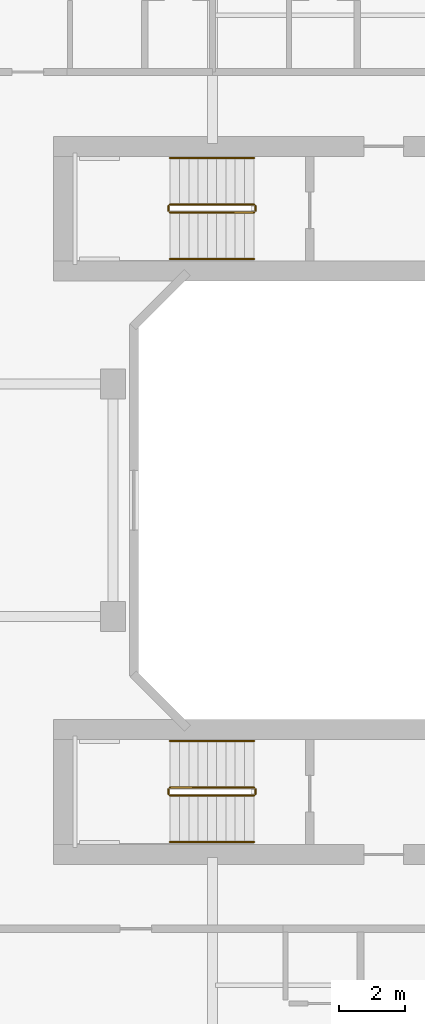
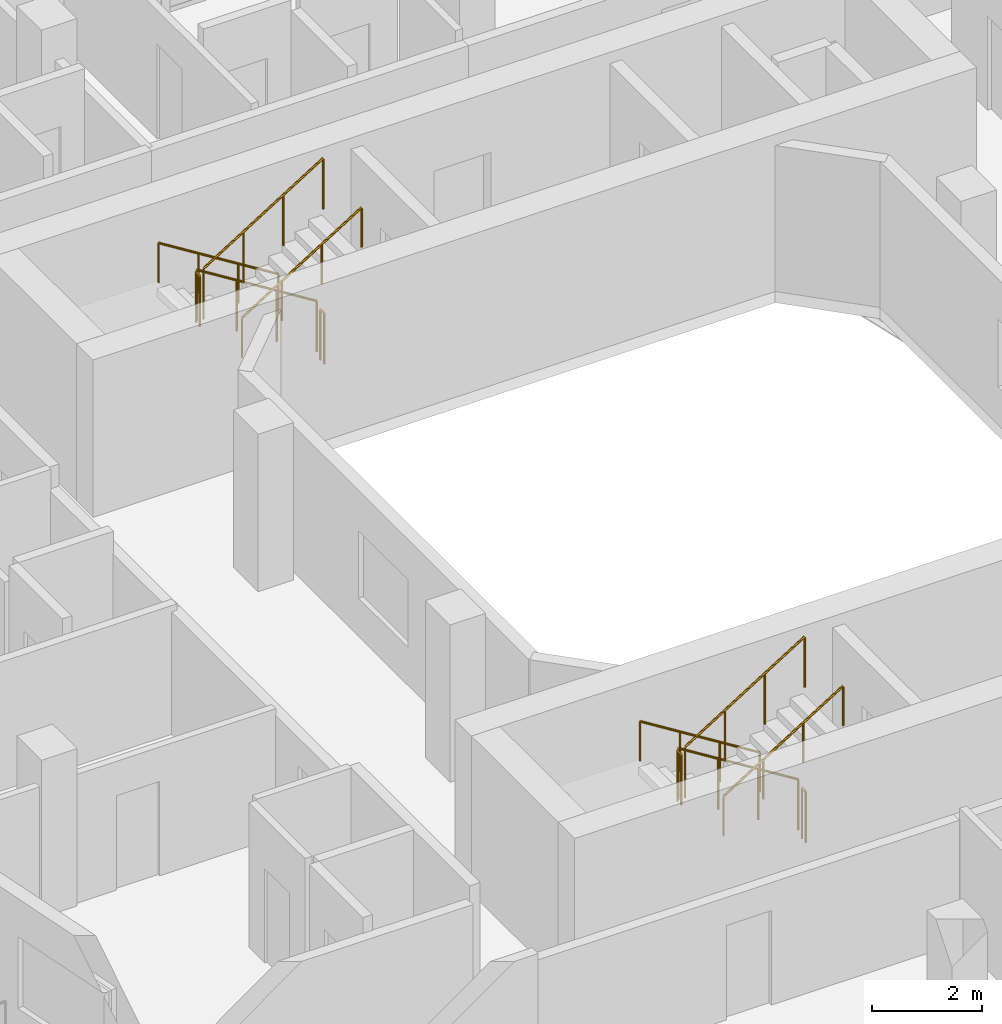
# One storey, part 25 of 25: 12 railings.
"""IFC4 building model written with IfcOpenShell, lengths in metres."""

from ifc_helpers import new_model, si_unit, derived_unit, direction, frame, origin, origin_2d, place, context, subcontext, project, spatial, circle, extrude, material, type_object, element, save


model = new_model("IFC4")

# Units and contexts
model_context = context("Model", 3, precision=1e-05, world=origin(), true_north=direction((0.0, 1.0)))
body_context = subcontext(model_context, "Body", "Model", "MODEL_VIEW")
ifc_project = project(units=[si_unit("LENGTHUNIT", "METRE"), si_unit("AREAUNIT", "SQUARE_METRE"), si_unit("VOLUMEUNIT", "CUBIC_METRE"), si_unit("PLANEANGLEUNIT", "RADIAN"), si_unit("MASSUNIT", "GRAM", prefix="KILO"), derived_unit("THERMALTRANSMITTANCEUNIT", [(si_unit("POWERUNIT", "WATT"), 1), (si_unit("LENGTHUNIT", "METRE"), -2), (si_unit("THERMODYNAMICTEMPERATUREUNIT", "KELVIN"), -1)])], contexts=[model_context])

# Site, building, storey
site_placement = place(None, origin())
site = spatial("IfcSite", under=ifc_project, at=site_placement, CompositionType="ELEMENT")
building_placement = place(site_placement, origin())
building = spatial("IfcBuilding", under=site, at=building_placement, Name="Kivonza Crest Hotel", CompositionType="ELEMENT")
storey_placement = place(building_placement, frame((0.0, 0.0, 24.0)))
storey = spatial("IfcBuildingStorey", under=building, at=storey_placement, Name="L05", CompositionType="ELEMENT", Elevation=24.0)

# Railings
ifc_material_1 = material(Name="Brushed stainless steel handrail", Category="steel")
railing_type_1 = type_object("IfcRailingType", Name="RL-HAND-900", PredefinedType="HANDRAIL", material=ifc_material_1)
railing_1_placement = place(storey_placement, frame((73.840087890625, 35.31005859375, 0.175048828125)))
element("IfcRailing", 1, at=railing_1_placement, inside=storey, type_object=railing_type_1, Name="L05 ST-T2-N stair handrail 1", PredefinedType="HANDRAIL", context=body_context, shape_type="SweptSolid", body=[
    extrude(circle(Radius=0.02392578125, at=origin_2d()), frame((0.0, 0.0, 0.8759765625), z_axis=(-0.848007534815, 0.0, 0.529984170421), x_axis=(0.0, -1.0, 0.0)), (0.0, 0.0, 1.0), 2.9716796875),
    extrude(circle(Radius=0.02099609375, at=origin_2d()), origin(), (0.0, 0.0, 1.0), 0.851806640625),
    extrude(circle(Radius=0.02099609375, at=origin_2d()), frame((-0.840087890625, 0.0, 0.52490234375)), (0.0, 0.0, 1.0), 0.851806640625),
    extrude(circle(Radius=0.02099609375, at=origin_2d()), frame((-1.679931640625, 0.0, 1.050048828125)), (0.0, 0.0, 1.0), 0.851806640625),
    extrude(circle(Radius=0.02099609375, at=origin_2d()), frame((-2.52001953125, 0.0, 1.574951171875)), (0.0, 0.0, 1.0), 0.851806640625),
])
railing_2_placement = place(storey_placement, frame((71.320068359375, 32.27001953125, 1.925048828125)))
element("IfcRailing", 2, at=railing_2_placement, inside=storey, type_object=railing_type_1, Name="L05 ST-T2-N stair handrail 2", PredefinedType="HANDRAIL", context=body_context, shape_type="SweptSolid", body=[
    extrude(circle(Radius=0.02392578125, at=origin_2d()), frame((0.0, 0.0, 0.8759765625), z_axis=(0.848007534815, 0.0, 0.529984170421), x_axis=(0.0, 1.0, 0.0)), (0.0, 0.0, 1.0), 2.9716796875),
    extrude(circle(Radius=0.02099609375, at=origin_2d()), origin(), (0.0, 0.0, 1.0), 0.851806640625),
    extrude(circle(Radius=0.02099609375, at=origin_2d()), frame((0.840087890625, 0.0, 0.52490234375)), (0.0, 0.0, 1.0), 0.851806640625),
    extrude(circle(Radius=0.02099609375, at=origin_2d()), frame((1.679931640625, 0.0, 1.050048828125)), (0.0, 0.0, 1.0), 0.851806640625),
    extrude(circle(Radius=0.02099609375, at=origin_2d()), frame((2.52001953125, 0.0, 1.574951171875)), (0.0, 0.0, 1.0), 0.851806640625),
])
railing_3_placement = place(storey_placement, frame((73.840087890625, 17.75, 0.175048828125)))
element("IfcRailing", 3, at=railing_3_placement, inside=storey, type_object=railing_type_1, Name="L05 ST-T2-S stair handrail 1", PredefinedType="HANDRAIL", context=body_context, shape_type="SweptSolid", body=[
    extrude(circle(Radius=0.02392578125, at=origin_2d()), frame((0.0, 0.0, 0.8759765625), z_axis=(-0.848007534815, 0.0, 0.529984170421), x_axis=(0.0, -1.0, 0.0)), (0.0, 0.0, 1.0), 2.9716796875),
    extrude(circle(Radius=0.02099609375, at=origin_2d()), origin(), (0.0, 0.0, 1.0), 0.851806640625),
    extrude(circle(Radius=0.02099609375, at=origin_2d()), frame((-0.840087890625, 0.0, 0.52490234375)), (0.0, 0.0, 1.0), 0.851806640625),
    extrude(circle(Radius=0.02099609375, at=origin_2d()), frame((-1.679931640625, 0.0, 1.050048828125)), (0.0, 0.0, 1.0), 0.851806640625),
    extrude(circle(Radius=0.02099609375, at=origin_2d()), frame((-2.52001953125, 0.0, 1.574951171875)), (0.0, 0.0, 1.0), 0.851806640625),
])
railing_4_placement = place(storey_placement, frame((71.320068359375, 14.7099609375, 1.925048828125)))
element("IfcRailing", 4, at=railing_4_placement, inside=storey, type_object=railing_type_1, Name="L05 ST-T2-S stair handrail 2", PredefinedType="HANDRAIL", context=body_context, shape_type="SweptSolid", body=[
    extrude(circle(Radius=0.02392578125, at=origin_2d()), frame((0.0, 0.0, 0.8759765625), z_axis=(0.848007534815, 0.0, 0.529984170421), x_axis=(0.0, 1.0, 0.0)), (0.0, 0.0, 1.0), 2.9716796875),
    extrude(circle(Radius=0.02099609375, at=origin_2d()), origin(), (0.0, 0.0, 1.0), 0.851806640625),
    extrude(circle(Radius=0.02099609375, at=origin_2d()), frame((0.840087890625, 0.0, 0.52490234375)), (0.0, 0.0, 1.0), 0.851806640625),
    extrude(circle(Radius=0.02099609375, at=origin_2d()), frame((1.679931640625, 0.0, 1.050048828125)), (0.0, 0.0, 1.0), 0.851806640625),
    extrude(circle(Radius=0.02099609375, at=origin_2d()), frame((2.52001953125, 0.0, 1.574951171875)), (0.0, 0.0, 1.0), 0.851806640625),
])
ifc_material_2 = material(Name="Painted steel balustrade", Category="steel")
railing_type_2 = type_object("IfcRailingType", Name="RL-STAIR-1150", PredefinedType="BALUSTRADE", material=ifc_material_2)
railing_5_placement = place(storey_placement, frame((73.840087890625, 33.909912109375, 0.175048828125)))
element("IfcRailing", 5, at=railing_5_placement, inside=storey, type_object=railing_type_2, Name="L05 ST-T2-N stair guard 1", PredefinedType="BALUSTRADE", context=body_context, shape_type="SweptSolid", body=[
    extrude(circle(Radius=0.02392578125, at=origin_2d()), frame((0.0, 0.0, 1.1259765625), z_axis=(-0.848007534815, 0.0, 0.529984170421), x_axis=(0.0, -1.0, 0.0)), (0.0, 0.0, 1.0), 2.9716796875),
    extrude(circle(Radius=0.02099609375, at=origin_2d()), origin(), (0.0, 0.0, 1.0), 1.101806640625),
    extrude(circle(Radius=0.02099609375, at=origin_2d()), frame((-0.840087890625, 0.0, 0.52490234375)), (0.0, 0.0, 1.0), 1.101806640625),
    extrude(circle(Radius=0.02099609375, at=origin_2d()), frame((-1.679931640625, 0.0, 1.050048828125)), (0.0, 0.0, 1.0), 1.101806640625),
    extrude(circle(Radius=0.02099609375, at=origin_2d()), frame((-2.52001953125, 0.0, 1.574951171875)), (0.0, 0.0, 1.0), 1.101806640625),
])
railing_6_placement = place(storey_placement, frame((71.27001953125, 33.860107421875, 1.75)))
element("IfcRailing", 6, at=railing_6_placement, inside=storey, type_object=railing_type_2, Name="L05 ST-T2-N stair guard 2", PredefinedType="BALUSTRADE", context=body_context, shape_type="SweptSolid", body=[
    extrude(circle(Radius=0.02392578125, at=origin_2d()), frame((0.0, 0.0, 1.1259765625), z_axis=(0.0, -1.0, 0.0), x_axis=(1.0, 0.0, 0.0)), (0.0, 0.0, 1.0), 0.14013671875),
    extrude(circle(Radius=0.02099609375, at=origin_2d()), origin(), (0.0, 0.0, 1.0), 1.101806640625),
    extrude(circle(Radius=0.02099609375, at=origin_2d()), frame((0.0, -0.14013671875, 0.0)), (0.0, 0.0, 1.0), 1.101806640625),
])
railing_7_placement = place(storey_placement, frame((71.320068359375, 33.669921875, 1.925048828125)))
element("IfcRailing", 7, at=railing_7_placement, inside=storey, type_object=railing_type_2, Name="L05 ST-T2-N stair guard 3", PredefinedType="BALUSTRADE", context=body_context, shape_type="SweptSolid", body=[
    extrude(circle(Radius=0.02392578125, at=origin_2d()), frame((0.0, 0.0, 1.1259765625), z_axis=(0.848007534815, 0.0, 0.529984170421), x_axis=(0.0, 1.0, 0.0)), (0.0, 0.0, 1.0), 2.9716796875),
    extrude(circle(Radius=0.02099609375, at=origin_2d()), origin(), (0.0, 0.0, 1.0), 1.101806640625),
    extrude(circle(Radius=0.02099609375, at=origin_2d()), frame((0.840087890625, 0.0, 0.52490234375)), (0.0, 0.0, 1.0), 1.101806640625),
    extrude(circle(Radius=0.02099609375, at=origin_2d()), frame((1.679931640625, 0.0, 1.050048828125)), (0.0, 0.0, 1.0), 1.101806640625),
    extrude(circle(Radius=0.02099609375, at=origin_2d()), frame((2.52001953125, 0.0, 1.574951171875)), (0.0, 0.0, 1.0), 1.101806640625),
])
railing_8_placement = place(storey_placement, frame((73.889892578125, 33.860107421875, 0.0)))
element("IfcRailing", 8, at=railing_8_placement, inside=storey, type_object=railing_type_2, Name="L05 ST-T2-N stair guard 4", PredefinedType="BALUSTRADE", context=body_context, shape_type="SweptSolid", body=[
    extrude(circle(Radius=0.02392578125, at=origin_2d()), frame((0.0, 0.0, 1.1259765625), z_axis=(0.0, -1.0, 0.0), x_axis=(1.0, 0.0, 0.0)), (0.0, 0.0, 1.0), 0.14013671875),
    extrude(circle(Radius=0.02099609375, at=origin_2d()), origin(), (0.0, 0.0, 1.0), 1.101806640625),
    extrude(circle(Radius=0.02099609375, at=origin_2d()), frame((0.0, -0.14013671875, 0.0)), (0.0, 0.0, 1.0), 1.101806640625),
])
railing_9_placement = place(storey_placement, frame((73.840087890625, 16.35009765625, 0.175048828125)))
element("IfcRailing", 9, at=railing_9_placement, inside=storey, type_object=railing_type_2, Name="L05 ST-T2-S stair guard 1", PredefinedType="BALUSTRADE", context=body_context, shape_type="SweptSolid", body=[
    extrude(circle(Radius=0.02392578125, at=origin_2d()), frame((0.0, 0.0, 1.1259765625), z_axis=(-0.848007534815, 0.0, 0.529984170421), x_axis=(0.0, -1.0, 0.0)), (0.0, 0.0, 1.0), 2.9716796875),
    extrude(circle(Radius=0.02099609375, at=origin_2d()), origin(), (0.0, 0.0, 1.0), 1.101806640625),
    extrude(circle(Radius=0.02099609375, at=origin_2d()), frame((-0.840087890625, 0.0, 0.52490234375)), (0.0, 0.0, 1.0), 1.101806640625),
    extrude(circle(Radius=0.02099609375, at=origin_2d()), frame((-1.679931640625, 0.0, 1.050048828125)), (0.0, 0.0, 1.0), 1.101806640625),
    extrude(circle(Radius=0.02099609375, at=origin_2d()), frame((-2.52001953125, 0.0, 1.574951171875)), (0.0, 0.0, 1.0), 1.101806640625),
])
railing_10_placement = place(storey_placement, frame((71.27001953125, 16.300048828125, 1.75)))
element("IfcRailing", 10, at=railing_10_placement, inside=storey, type_object=railing_type_2, Name="L05 ST-T2-S stair guard 2", PredefinedType="BALUSTRADE", context=body_context, shape_type="SweptSolid", body=[
    extrude(circle(Radius=0.02392578125, at=origin_2d()), frame((0.0, 0.0, 1.1259765625), z_axis=(0.0, -1.0, 0.0), x_axis=(1.0, 0.0, 0.0)), (0.0, 0.0, 1.0), 0.14013671875),
    extrude(circle(Radius=0.02099609375, at=origin_2d()), origin(), (0.0, 0.0, 1.0), 1.101806640625),
    extrude(circle(Radius=0.02099609375, at=origin_2d()), frame((0.0, -0.14013671875, 0.0)), (0.0, 0.0, 1.0), 1.101806640625),
])
railing_11_placement = place(storey_placement, frame((71.320068359375, 16.110107421875, 1.925048828125)))
element("IfcRailing", 11, at=railing_11_placement, inside=storey, type_object=railing_type_2, Name="L05 ST-T2-S stair guard 3", PredefinedType="BALUSTRADE", context=body_context, shape_type="SweptSolid", body=[
    extrude(circle(Radius=0.02392578125, at=origin_2d()), frame((0.0, 0.0, 1.1259765625), z_axis=(0.848007534815, 0.0, 0.529984170421), x_axis=(0.0, 1.0, 0.0)), (0.0, 0.0, 1.0), 2.9716796875),
    extrude(circle(Radius=0.02099609375, at=origin_2d()), origin(), (0.0, 0.0, 1.0), 1.101806640625),
    extrude(circle(Radius=0.02099609375, at=origin_2d()), frame((0.840087890625, 0.0, 0.52490234375)), (0.0, 0.0, 1.0), 1.101806640625),
    extrude(circle(Radius=0.02099609375, at=origin_2d()), frame((1.679931640625, 0.0, 1.050048828125)), (0.0, 0.0, 1.0), 1.101806640625),
    extrude(circle(Radius=0.02099609375, at=origin_2d()), frame((2.52001953125, 0.0, 1.574951171875)), (0.0, 0.0, 1.0), 1.101806640625),
])
railing_12_placement = place(storey_placement, frame((73.889892578125, 16.300048828125, 0.0)))
element("IfcRailing", 12, at=railing_12_placement, inside=storey, type_object=railing_type_2, Name="L05 ST-T2-S stair guard 4", PredefinedType="BALUSTRADE", context=body_context, shape_type="SweptSolid", body=[
    extrude(circle(Radius=0.02392578125, at=origin_2d()), frame((0.0, 0.0, 1.1259765625), z_axis=(0.0, -1.0, 0.0), x_axis=(1.0, 0.0, 0.0)), (0.0, 0.0, 1.0), 0.14013671875),
    extrude(circle(Radius=0.02099609375, at=origin_2d()), origin(), (0.0, 0.0, 1.0), 1.101806640625),
    extrude(circle(Radius=0.02099609375, at=origin_2d()), frame((0.0, -0.14013671875, 0.0)), (0.0, 0.0, 1.0), 1.101806640625),
])

save(model, "model.ifc")
